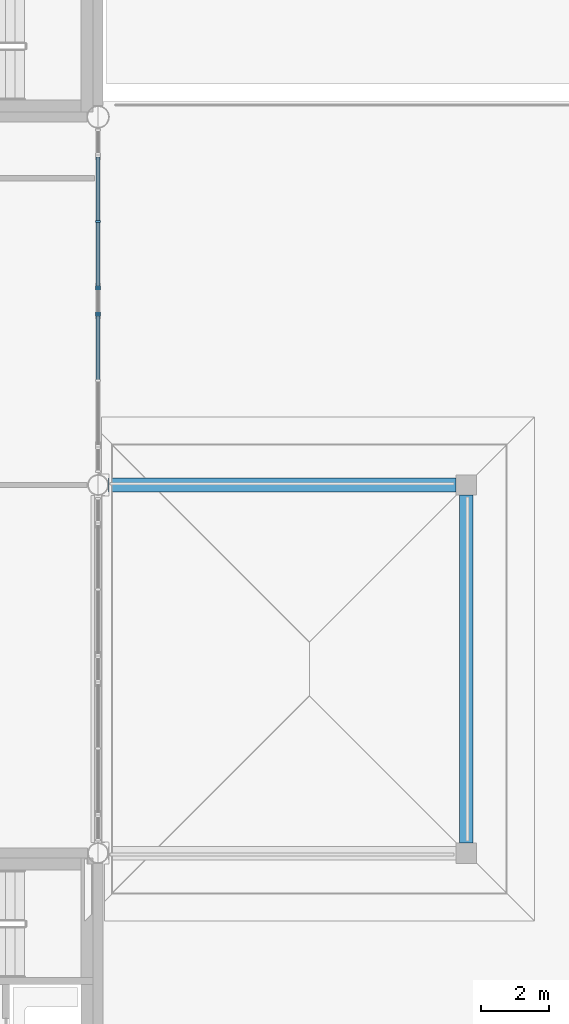
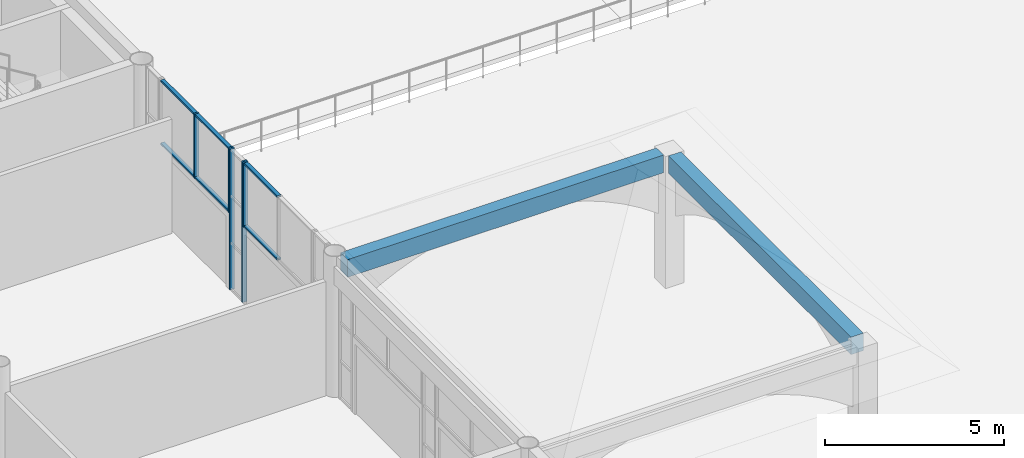
# One storey, part 22 of 91: 11 members, 2 beams, 3 elements without a shape of their own.
"""IFC4 building model written with IfcOpenShell, lengths in metres."""

from ifc_helpers import new_model, si_unit, direction, frame, origin, origin_2d, place, context, subcontext, project, spatial, rectangle, extrude, material, layer, layer_set, material_profile, profile_set, type_object, element, aggregate, save


model = new_model("IFC4")

# Units and contexts
model_context = context("Model", 3, precision=1e-05, world=origin(), true_north=direction((0.0, 1.0)))
body_context = subcontext(model_context, "Body", "Model", "MODEL_VIEW")
ifc_project = project(units=[si_unit("LENGTHUNIT", "METRE"), si_unit("AREAUNIT", "SQUARE_METRE"), si_unit("VOLUMEUNIT", "CUBIC_METRE"), si_unit("PLANEANGLEUNIT", "RADIAN"), si_unit("MASSUNIT", "GRAM", prefix="KILO")], contexts=[model_context])

# Site, building, storey
site_placement = place(None, origin())
site = spatial("IfcSite", under=ifc_project, at=site_placement, CompositionType="ELEMENT")
building_placement = place(site_placement, origin())
building = spatial("IfcBuilding", under=site, at=building_placement, Name="Magnolia Steps Interchange", CompositionType="ELEMENT")
storey_placement = place(building_placement, origin())
storey = spatial("IfcBuildingStorey", under=building, at=storey_placement, Name="L00", CompositionType="ELEMENT", Elevation=0.0)

# Curtain wall, member
ifc_material_1 = material(Name="Powder-coated aluminium and glass", Category="aluminium")
ifc_layer = layer(ifc_material_1, 0.14990234375)
ifc_layer_set = layer_set([ifc_layer], Name="Glazed hall curtain wall")
curtain_wall_type = type_object("IfcCurtainWallType", Name="Glazed hall curtain wall", PredefinedType="NOTDEFINED", material=ifc_layer_set)
curtain_wall_1_placement = place(storey_placement, origin())
curtain_wall_1 = element("IfcCurtainWall", 1, at=curtain_wall_1_placement, inside=storey, type_object=curtain_wall_type, Name="Hall entrance fanlight E3-1", PredefinedType="NOTDEFINED")
ifc_material_2 = material(Name="White powder-coated aluminium", Category="aluminium")
ifc_material_profile_1 = material_profile(ifc_material_2, rectangle(XDim=0.06005859375, YDim=0.14990234375, at=origin_2d()), Name="Aluminium mullion 60 x 150")
ifc_profile_set_1 = profile_set([ifc_material_profile_1], Name="White powder-coated aluminium")
member_type_1 = type_object("IfcMemberType", Name="Aluminium mullion 60 x 150", PredefinedType="MULLION", material=ifc_profile_set_1)
member_1_placement = place(storey_placement, frame((118.0, 68.989990234375, 2.60009765625), z_axis=(0.0, 0.0, 1.0), x_axis=(0.0, 1.0, 0.0)))
member_1 = element("IfcMember", 2, at=member_1_placement, type_object=member_type_1, Name="CW1 mullion 3", PredefinedType="MULLION", context=body_context, shape_type="SweptSolid", body=[
    extrude(rectangle(XDim=0.06005859375, YDim=0.14990234375, at=origin_2d()), origin(), (0.0, 0.0, 1.0), 2.199951171875),
])

# Curtain wall, members
curtain_wall_2_placement = place(storey_placement, origin())
curtain_wall_2 = element("IfcCurtainWall", 3, at=curtain_wall_2_placement, inside=storey, type_object=curtain_wall_type, Name="Hall glazing E3b L00", PredefinedType="NOTDEFINED")
member_2_placement = place(storey_placement, frame((118.0, 69.050048828125, 0.0), z_axis=(0.0, 0.0, 1.0), x_axis=(0.0, 1.0, 0.0)))
member_2 = element("IfcMember", 4, at=member_2_placement, type_object=member_type_1, Name="CW1 mullion 1", PredefinedType="MULLION", context=body_context, shape_type="SweptSolid", body=[
    extrude(rectangle(XDim=0.06005859375, YDim=0.14990234375, at=origin_2d()), origin(), (0.0, 0.0, 1.0), 4.800048828125),
])
member_3_placement = place(storey_placement, frame((118.0, 69.75, 0.0), z_axis=(0.0, 0.0, 1.0), x_axis=(0.0, 1.0, 0.0)))
member_3 = element("IfcMember", 5, at=member_3_placement, type_object=member_type_1, Name="CW1 mullion 2", PredefinedType="MULLION", context=body_context, shape_type="SweptSolid", body=[
    extrude(rectangle(XDim=0.06005859375, YDim=0.14990234375, at=origin_2d()), origin(), (0.0, 0.0, 1.0), 4.800048828125),
])
aggregate(curtain_wall_2, [member_2, member_3])

curtain_wall_3_placement = place(storey_placement, origin())
curtain_wall_3 = element("IfcCurtainWall", 6, at=curtain_wall_3_placement, inside=storey, type_object=curtain_wall_type, Name="Hall entrance fanlight E3-2", PredefinedType="NOTDEFINED")
member_4_placement = place(storey_placement, frame((118.0, 69.81005859375, 2.60009765625), z_axis=(0.0, 0.0, 1.0), x_axis=(0.0, 1.0, 0.0)))
member_4 = element("IfcMember", 7, at=member_4_placement, type_object=member_type_1, Name="CW1 mullion 1", PredefinedType="MULLION", context=body_context, shape_type="SweptSolid", body=[
    extrude(rectangle(XDim=0.06005859375, YDim=0.14990234375, at=origin_2d()), origin(), (0.0, 0.0, 1.0), 2.199951171875),
])
member_5_placement = place(storey_placement, frame((118.0, 71.72998046875, 2.60009765625), z_axis=(0.0, 0.0, 1.0), x_axis=(0.0, 1.0, 0.0)))
member_5 = element("IfcMember", 8, at=member_5_placement, type_object=member_type_1, Name="CW1 mullion 2", PredefinedType="MULLION", context=body_context, shape_type="SweptSolid", body=[
    extrude(rectangle(XDim=0.06005859375, YDim=0.14990234375, at=origin_2d()), origin(), (0.0, 0.0, 1.0), 2.199951171875),
])

# Member
ifc_material_3 = material(Name="White powder-coated aluminium", Category="aluminium")
ifc_material_profile_2 = material_profile(ifc_material_3, rectangle(XDim=0.06005859375, YDim=0.1201171875, at=origin_2d()), Name="Aluminium transom 60 x 120")
ifc_profile_set_2 = profile_set([ifc_material_profile_2], Name="White powder-coated aluminium")
member_type_2 = type_object("IfcMemberType", Name="Aluminium transom 60 x 120", PredefinedType="USERDEFINED", material=ifc_profile_set_2)
member_6_placement = place(storey_placement, frame((118.0, 67.10009765625, 2.6298828125), z_axis=(0.0, 1.0, 0.0), x_axis=(0.0, 0.0, 1.0)))
member_6 = element("IfcMember", 9, at=member_6_placement, type_object=member_type_2, Name="CW1 transom 2.1", ObjectType="TRANSOM", PredefinedType="USERDEFINED", context=body_context, shape_type="SweptSolid", body=[
    extrude(rectangle(XDim=0.06005859375, YDim=0.1201171875, at=origin_2d()), origin(), (0.0, 0.0, 1.0), 1.85986328125),
])

member_7_placement = place(storey_placement, frame((118.0, 67.10009765625, 4.77001953125), z_axis=(0.0, 1.0, 0.0), x_axis=(0.0, 0.0, 1.0)))
member_7 = element("IfcMember", 10, at=member_7_placement, type_object=member_type_2, Name="CW1 transom 2.2", ObjectType="TRANSOM", PredefinedType="USERDEFINED", context=body_context, shape_type="SweptSolid", body=[
    extrude(rectangle(XDim=0.06005859375, YDim=0.1201171875, at=origin_2d()), origin(), (0.0, 0.0, 1.0), 1.85986328125),
])

aggregate(curtain_wall_1, [member_1, member_6, member_7])

member_8_placement = place(storey_placement, frame((118.0, 69.840087890625, 2.6298828125), z_axis=(0.0, 1.0, 0.0), x_axis=(0.0, 0.0, 1.0)))
member_8 = element("IfcMember", 11, at=member_8_placement, type_object=member_type_2, Name="CW1 transom 1.1", ObjectType="TRANSOM", PredefinedType="USERDEFINED", context=body_context, shape_type="SweptSolid", body=[
    extrude(rectangle(XDim=0.06005859375, YDim=0.1201171875, at=origin_2d()), origin(), (0.0, 0.0, 1.0), 1.85986328125),
])

member_9_placement = place(storey_placement, frame((118.0, 69.840087890625, 4.77001953125), z_axis=(0.0, 1.0, 0.0), x_axis=(0.0, 0.0, 1.0)))
member_9 = element("IfcMember", 12, at=member_9_placement, type_object=member_type_2, Name="CW1 transom 1.2", ObjectType="TRANSOM", PredefinedType="USERDEFINED", context=body_context, shape_type="SweptSolid", body=[
    extrude(rectangle(XDim=0.06005859375, YDim=0.1201171875, at=origin_2d()), origin(), (0.0, 0.0, 1.0), 1.85986328125),
])

member_10_placement = place(storey_placement, frame((118.0, 71.760009765625, 2.6298828125), z_axis=(0.0, 1.0, 0.0), x_axis=(0.0, 0.0, 1.0)))
member_10 = element("IfcMember", 13, at=member_10_placement, type_object=member_type_2, Name="CW1 transom 2.1", ObjectType="TRANSOM", PredefinedType="USERDEFINED", context=body_context, shape_type="SweptSolid", body=[
    extrude(rectangle(XDim=0.06005859375, YDim=0.1201171875, at=origin_2d()), origin(), (0.0, 0.0, 1.0), 1.860107421875),
])

member_11_placement = place(storey_placement, frame((118.0, 71.760009765625, 4.77001953125), z_axis=(0.0, 1.0, 0.0), x_axis=(0.0, 0.0, 1.0)))
member_11 = element("IfcMember", 14, at=member_11_placement, type_object=member_type_2, Name="CW1 transom 2.2", ObjectType="TRANSOM", PredefinedType="USERDEFINED", context=body_context, shape_type="SweptSolid", body=[
    extrude(rectangle(XDim=0.06005859375, YDim=0.1201171875, at=origin_2d()), origin(), (0.0, 0.0, 1.0), 1.860107421875),
])

aggregate(curtain_wall_3, [member_4, member_5, member_8, member_9, member_10, member_11])

# Beams
ifc_material_4 = material(Name="Concrete C40", Category="concrete")
ifc_material_profile_3 = material_profile(ifc_material_4, rectangle(XDim=0.39990234375, YDim=0.60009765625, at=origin_2d()), Name="RC400x600")
ifc_profile_set_3 = profile_set([ifc_material_profile_3], Name="Concrete C40")
beam_type = type_object("IfcBeamType", Name="RC beam 400x600", PredefinedType="BEAM", material=ifc_profile_set_3)
beam_1_placement = place(storey_placement, frame((128.800048828125, 53.5, 4.199951171875), z_axis=(0.0, 1.0, 0.0), x_axis=(-1.0, 0.0, 0.0)))
element("IfcBeam", 15, at=beam_1_placement, inside=storey, type_object=beam_type, Name="Portico eave beam E2", PredefinedType="BEAM", context=body_context, shape_type="SweptSolid", body=[
    extrude(rectangle(XDim=0.39990234375, YDim=0.60009765625, at=origin_2d()), origin(), (0.0, 0.0, 1.0), 10.199951171875),
])
beam_2_placement = place(storey_placement, frame((128.5, 64.0, 4.199951171875), z_axis=(-1.0, 0.0, 0.0), x_axis=(0.0, -1.0, 0.0)))
element("IfcBeam", 16, at=beam_2_placement, inside=storey, type_object=beam_type, Name="Portico eave beam E2", PredefinedType="BEAM", context=body_context, shape_type="SweptSolid", body=[
    extrude(rectangle(XDim=0.39990234375, YDim=0.60009765625, at=origin_2d()), origin(), (0.0, 0.0, 1.0), 10.195068359375),
])

save(model, "model.ifc")
